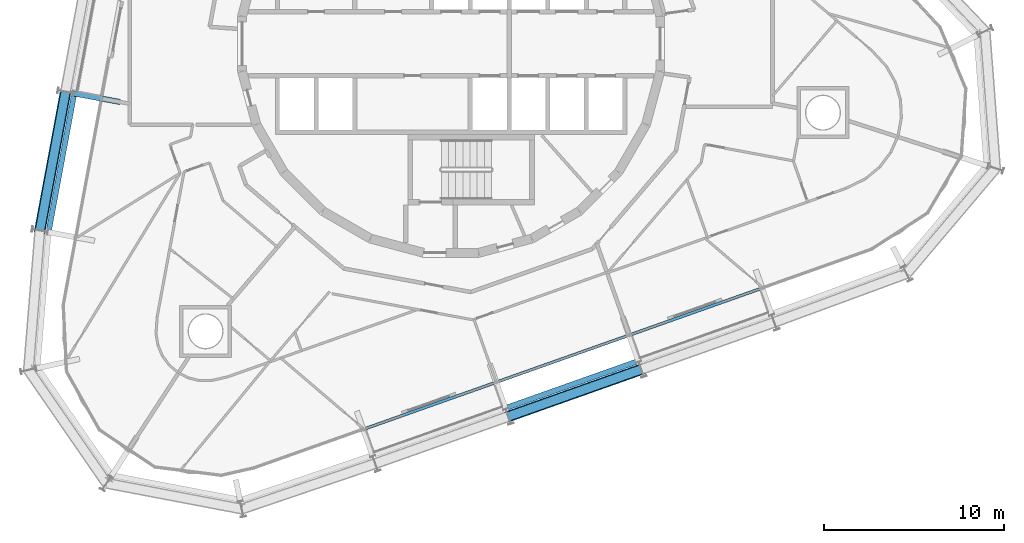
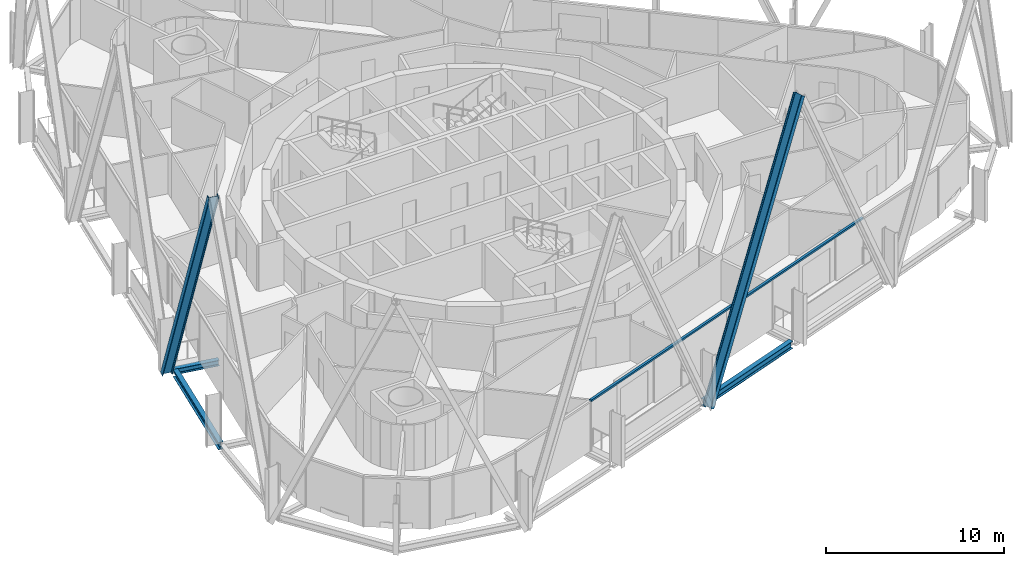
# One storey, part 3 of 17: 3 beams, 3 members, 1 element without a shape of its own.
"""IFC4 building model written with IfcOpenShell, lengths in metres."""

from ifc_helpers import new_model, si_unit, direction, frame, origin, origin_2d, place, context, subcontext, project, spatial, rectangle, i_section, extrude, material, layer, layer_set, material_profile, profile_set, type_object, element, aggregate, save


model = new_model("IFC4")

# Units and contexts
model_context = context("Model", 3, precision=1e-05, world=origin(), true_north=direction((0.0, 1.0)))
body_context = subcontext(model_context, "Body", "Model", "MODEL_VIEW")
ifc_project = project(units=[si_unit("LENGTHUNIT", "METRE"), si_unit("AREAUNIT", "SQUARE_METRE"), si_unit("VOLUMEUNIT", "CUBIC_METRE"), si_unit("PLANEANGLEUNIT", "RADIAN"), si_unit("MASSUNIT", "GRAM", prefix="KILO")], contexts=[model_context])

# Site, building, storey
site_placement = place(None, origin())
site = spatial("IfcSite", under=ifc_project, at=site_placement, CompositionType="ELEMENT")
building_placement = place(site_placement, origin())
building = spatial("IfcBuilding", under=site, at=building_placement, Name="Spindle Arch Residences", CompositionType="ELEMENT")
storey_placement = place(building_placement, frame((0.0, 0.0, 165.699951171875)))
storey = spatial("IfcBuildingStorey", under=building, at=storey_placement, Name="L41", CompositionType="ELEMENT", Elevation=165.699951171875)

# Curtain wall, member
ifc_material_1 = material(Name="Aluminium bronze unitised frame with tinted glass", Category="aluminium")
ifc_layer = layer(ifc_material_1, 0.159912109375)
ifc_layer_set = layer_set([ifc_layer], Name="CW-C typical residential unitised wall")
curtain_wall_type = type_object("IfcCurtainWallType", Name="CW-C typical residential unitised wall", PredefinedType="NOTDEFINED", material=ifc_layer_set)
curtain_wall_placement = place(storey_placement, origin())
curtain_wall = element("IfcCurtainWall", 1, at=curtain_wall_placement, inside=storey, type_object=curtain_wall_type, Name="CW-C L41 run 6", PredefinedType="NOTDEFINED")
ifc_material_2 = material(Name="Aluminium bronze anodised transom", Category="aluminium")
ifc_material_profile_1 = material_profile(ifc_material_2, rectangle(XDim=0.159912109375, YDim=0.1201171875, at=origin_2d()), Name="TR 120x160")
ifc_profile_set_1 = profile_set([ifc_material_profile_1], Name="Aluminium bronze anodised transom")
member_type_1 = type_object("IfcMemberType", Name="Bronze transom 120x160", PredefinedType="USERDEFINED", material=ifc_profile_set_1)
member_1_placement = place(storey_placement, frame((-4.87255859375, -21.470947265625, 3.06005859375), z_axis=(0.94264008639, 0.333810825963, 0.0), x_axis=(-0.333810825963, 0.94264008639, 0.0)))
member_1 = element("IfcMember", 2, at=member_1_placement, type_object=member_type_1, Name="CW-C transom 00", ObjectType="TRANSOM", PredefinedType="USERDEFINED", context=body_context, shape_type="SweptSolid", body=[
    extrude(rectangle(XDim=0.159912109375, YDim=0.1201171875, at=origin_2d()), origin(), (0.0, 0.0, 1.0), 23.520263671875),
])
aggregate(curtain_wall, [member_1])

# Members
ifc_material_3 = material(Name="Steel S460ML, intumescent coating R 240", Category="steel")
ifc_material_profile_2 = material_profile(ifc_material_3, i_section(OverallWidth=0.304931640625, OverallDepth=0.6201171875, WebThickness=0.02099609375, FlangeThickness=0.0400390625, FilletRadius=0.027099609375, at=origin_2d()), Name="HEM 600")
ifc_profile_set_2 = profile_set([ifc_material_profile_2], Name="Steel S460ML, intumescent coating R 240")
member_type_2 = type_object("IfcMemberType", Name="Diagrid diagonal HEM 600", PredefinedType="BRACE", material=ifc_profile_set_2)
member_2_placement = place(storey_placement, frame((-21.481201171875, -2.680419921875, -0.6298828125), z_axis=(-0.075478783756, -0.407240651062, 0.910196684967), x_axis=(0.165872700404, 0.894954888576, 0.414176284539)))
element("IfcMember", 3, at=member_2_placement, inside=storey, type_object=member_type_2, Name="Diagrid diagonal 4.2.16", PredefinedType="BRACE", context=body_context, shape_type="SweptSolid", body=[
    extrude(i_section(OverallWidth=0.304931640625, OverallDepth=0.6201171875, WebThickness=0.02099609375, FlangeThickness=0.0400390625, FilletRadius=0.027099609375, at=origin_2d()), origin(), (0.0, 0.0, 1.0), 18.97705078125),
])
member_3_placement = place(storey_placement, frame((3.182861328125, -20.76123046875, -0.6298828125), z_axis=(0.390425587992, 0.138246782937, 0.910195411573), x_axis=(-0.857994991495, -0.303809614426, 0.414179082947)))
element("IfcMember", 4, at=member_3_placement, inside=storey, type_object=member_type_2, Name="Diagrid diagonal 4.2.22", PredefinedType="BRACE", context=body_context, shape_type="SweptSolid", body=[
    extrude(i_section(OverallWidth=0.304931640625, OverallDepth=0.6201171875, WebThickness=0.02099609375, FlangeThickness=0.0400390625, FilletRadius=0.027099609375, at=origin_2d()), origin(), (0.0, 0.0, 1.0), 18.977294921875),
])

# Beams
ifc_material_4 = material(Name="Steel S460ML, intumescent coating R 120", Category="steel")
ifc_material_profile_3 = material_profile(ifc_material_4, i_section(OverallWidth=0.300048828125, OverallDepth=0.5, WebThickness=0.014404296875, FlangeThickness=0.028076171875, FilletRadius=0.027099609375, at=origin_2d()), Name="HEB 500")
ifc_profile_set_3 = profile_set([ifc_material_profile_3], Name="Steel S460ML, intumescent coating R 120")
beam_type_1 = type_object("IfcBeamType", Name="Exoskeleton edge beam HEB 500", PredefinedType="BEAM", material=ifc_profile_set_3)
for number, where, z_axis, x_axis, name in (
    (5, (-21.02294921875, -2.8974609375, -0.6298828125), (-0.182234195466, -0.983255154069, 0.0), (0.983255154069, -0.182234195466, 0.0), "Exoskeleton edge beam 16"),
    (6, (3.141845703125, -20.256103515625, -0.6298828125), (0.942633964352, 0.33382811333, 0.0), (-0.33382811333, 0.942633964352, 0.0), "Exoskeleton edge beam 22"),
):
    element("IfcBeam", number, at=place(storey_placement, frame(where, z_axis=z_axis, x_axis=x_axis)), inside=storey, type_object=beam_type_1, Name=name, PredefinedType="BEAM", context=body_context, shape_type="SweptSolid", body=[
        extrude(i_section(OverallWidth=0.300048828125, OverallDepth=0.5, WebThickness=0.014404296875, FlangeThickness=0.028076171875, FilletRadius=0.027099609375, at=origin_2d()), origin(), (0.0, 0.0, 1.0), 7.60009765625),
    ])
ifc_material_5 = material(Name="Steel S460ML, intumescent coating R 120", Category="steel")
ifc_material_profile_4 = material_profile(ifc_material_5, i_section(OverallWidth=0.300048828125, OverallDepth=0.389892578125, WebThickness=0.010986328125, FlangeThickness=0.01904296875, FilletRadius=0.027099609375, at=origin_2d()), Name="HEA 400")
ifc_profile_set_4 = profile_set([ifc_material_profile_4], Name="Steel S460ML, intumescent coating R 120")
beam_type_2 = type_object("IfcBeamType", Name="Floor outrigger HEA 400", PredefinedType="BEAM", material=ifc_profile_set_4)
beam_placement = place(storey_placement, frame((-21.03857421875, -2.76220703125, -0.574951171875), z_axis=(0.983253888741, -0.182241022482, 0.0), x_axis=(0.182241022482, 0.983253888741, 0.0)))
element("IfcBeam", 7, at=beam_placement, inside=storey, type_object=beam_type_2, Name="Floor outrigger 16", PredefinedType="BEAM", context=body_context, shape_type="SweptSolid", body=[
    extrude(i_section(OverallWidth=0.300048828125, OverallDepth=0.389892578125, WebThickness=0.010986328125, FlangeThickness=0.01904296875, FilletRadius=0.027099609375, at=origin_2d()), origin(), (0.0, 0.0, 1.0), 2.64990234375),
])

save(model, "model.ifc")
